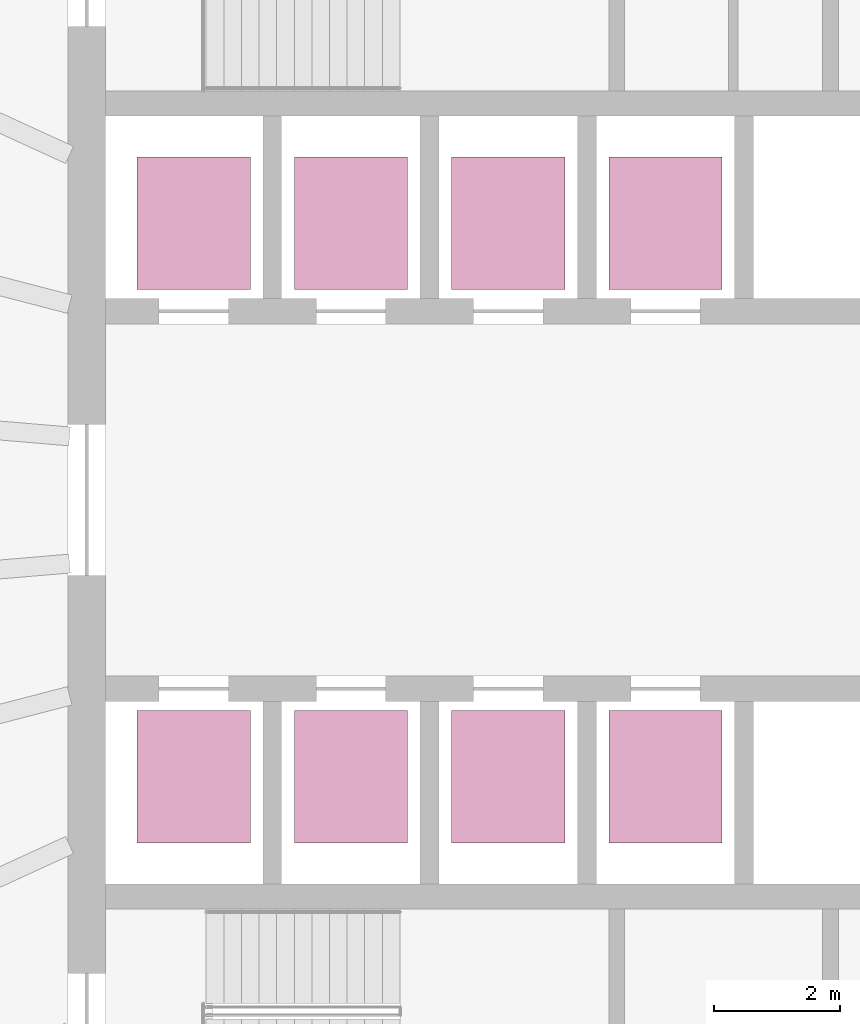
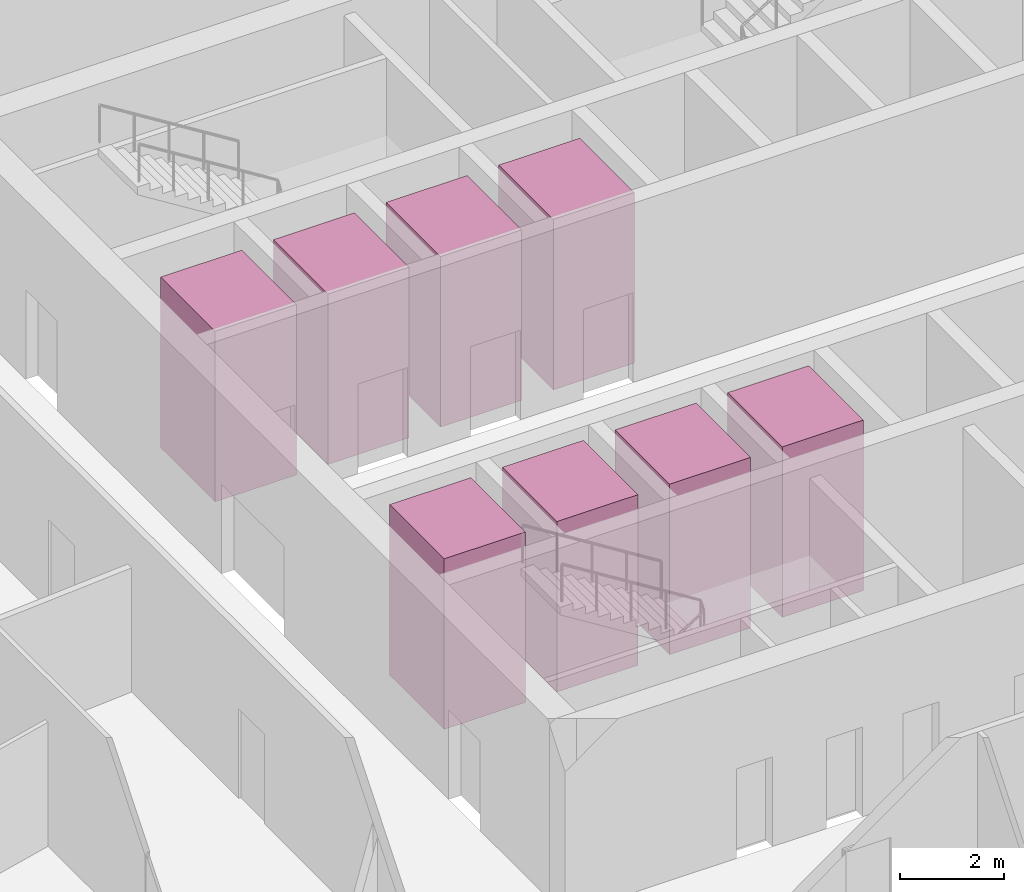
# One storey, part 11 of 11: 8 transport elements.
"""IFC4 building model written with IfcOpenShell, lengths in metres."""

from ifc_helpers import new_model, si_unit, direction, frame, origin, origin_2d, place, context, subcontext, project, spatial, rectangle, extrude, material, type_object, element, save


model = new_model("IFC4")

# Units and contexts
model_context = context("Model", 3, precision=1e-05, world=origin(), true_north=direction((0.0, 1.0)))
body_context = subcontext(model_context, "Body", "Model", "MODEL_VIEW")
ifc_project = project(units=[si_unit("LENGTHUNIT", "METRE"), si_unit("AREAUNIT", "SQUARE_METRE"), si_unit("VOLUMEUNIT", "CUBIC_METRE"), si_unit("PLANEANGLEUNIT", "RADIAN"), si_unit("MASSUNIT", "GRAM", prefix="KILO")], contexts=[model_context])

# Site, building, storey
site_placement = place(None, origin())
site = spatial("IfcSite", under=ifc_project, at=site_placement, CompositionType="ELEMENT")
building_placement = place(site_placement, origin())
building = spatial("IfcBuilding", under=site, at=building_placement, Name="Halqa Exchange Tower", CompositionType="ELEMENT")
storey_placement = place(building_placement, frame((0.0, 0.0, 142.300048828125)))
storey = spatial("IfcBuildingStorey", under=building, at=storey_placement, Name="L32", CompositionType="ELEMENT", Elevation=142.300048828125)

# Transport elements
ifc_material = material(Name="Stainless steel", Category="steel")
transport_element_type = type_object("IfcTransportElementType", Name="Low-rise passenger lift 1800 x 2100", PredefinedType="ELEVATOR", material=ifc_material)
for number, where, z_axis, x_axis, name in (
    (1, (-10.0, 4.39990234375, 0.0), (0.0, 0.0, 1.0), (1.0, 0.0, 0.0), "Low-rise passenger lift LR1"),
    (2, (-7.5, 4.39990234375, 0.0), (0.0, 0.0, 1.0), (1.0, 0.0, 0.0), "Low-rise passenger lift LR2"),
    (3, (-5.0, 4.39990234375, 0.0), (0.0, 0.0, 1.0), (1.0, 0.0, 0.0), "Low-rise passenger lift LR3"),
    (4, (-2.5, 4.39990234375, 0.0), (0.0, 0.0, 1.0), (1.0, 0.0, 0.0), "Low-rise passenger lift LR4"),
    (5, (-10.0, -4.39990234375, 0.0), (0.0, 0.0, 1.0), (1.0, 0.0, 0.0), "Low-rise passenger lift LR5"),
    (6, (-7.5, -4.39990234375, 0.0), (0.0, 0.0, 1.0), (1.0, 0.0, 0.0), "Low-rise passenger lift LR6"),
    (7, (-5.0, -4.39990234375, 0.0), (0.0, 0.0, 1.0), (1.0, 0.0, 0.0), "Low-rise passenger lift LR7"),
    (8, (-2.5, -4.39990234375, 0.0), (0.0, 0.0, 1.0), (1.0, 0.0, 0.0), "Low-rise passenger lift LR8"),
):
    element("IfcTransportElement", number, at=place(storey_placement, frame(where, z_axis=z_axis, x_axis=x_axis)), inside=storey, type_object=transport_element_type, Name=name, PredefinedType="ELEVATOR", context=body_context, shape_type="SweptSolid", body=[
        extrude(rectangle(XDim=1.800048828125, YDim=2.10009765625, at=origin_2d()), origin(), (0.0, 0.0, 1.0), 4.0),
    ])

save(model, "model.ifc")
